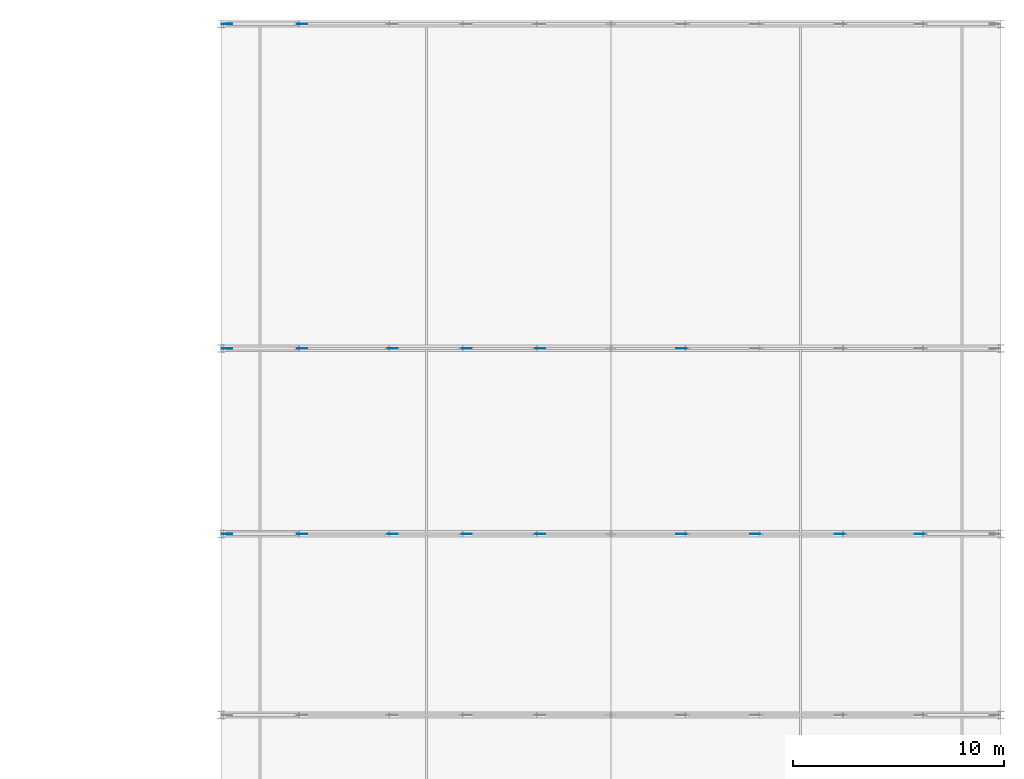
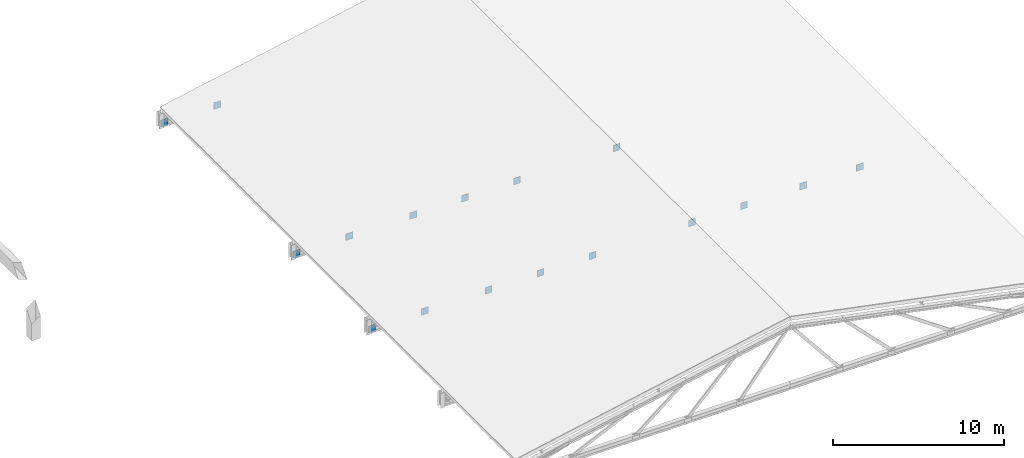
# One storey, part 37 of 47: 17 plates.
"""IFC4 building model written with IfcOpenShell, lengths in metres."""

from ifc_helpers import new_model, si_unit, direction, frame, origin, origin_2d, place, context, subcontext, project, spatial, rectangle, extrude, material, layer, layer_set, type_object, element, save


model = new_model("IFC4")

# Units and contexts
model_context = context("Model", 3, precision=1e-05, world=origin(), true_north=direction((0.0, 1.0)))
body_context = subcontext(model_context, "Body", "Model", "MODEL_VIEW")
ifc_project = project(units=[si_unit("LENGTHUNIT", "METRE"), si_unit("AREAUNIT", "SQUARE_METRE"), si_unit("VOLUMEUNIT", "CUBIC_METRE"), si_unit("PLANEANGLEUNIT", "RADIAN"), si_unit("MASSUNIT", "GRAM", prefix="KILO")], contexts=[model_context])

# Site, building, storey
site_placement = place(None, origin())
site = spatial("IfcSite", under=ifc_project, at=site_placement, CompositionType="ELEMENT")
building_placement = place(site_placement, origin())
building = spatial("IfcBuilding", under=site, at=building_placement, Name="Muzn Square Opera House", CompositionType="ELEMENT")
storey_placement = place(building_placement, frame((0.0, 0.0, 31.0)))
storey = spatial("IfcBuildingStorey", under=building, at=storey_placement, Name="RF-1", CompositionType="ELEMENT", Elevation=31.0)

# Plates
ifc_material = material(Name="Steel S355", Category="steel")
ifc_layer = layer(ifc_material, 0.02392578125, Name="Steel S355", Category="steel")
ifc_layer_set = layer_set([ifc_layer], Name="Steel S355")
plate_type = type_object("IfcPlateType", Name="Rehearsal Gusset Plate 24mm 480x480", PredefinedType="USERDEFINED", material=ifc_layer_set)
for number, where, z_axis, x_axis, name in (
    (1, (133.280029296875, 89.800048828125, -7.619873046875), (0.0, 0.0, 1.0), (1.0, 0.0, 0.0), "Rehearsal Truss Gusset Plate T3-0"),
    (2, (136.85009765625, 89.800048828125, -7.619873046875), (0.0, 0.0, 1.0), (1.0, 0.0, 0.0), "Rehearsal Truss Gusset Plate T3-1"),
    (3, (141.14990234375, 89.800048828125, -7.619873046875), (0.0, 0.0, 1.0), (1.0, 0.0, 0.0), "Rehearsal Truss Gusset Plate T3-2"),
    (4, (144.64990234375, 89.800048828125, -7.619873046875), (0.0, 0.0, 1.0), (1.0, 0.0, 0.0), "Rehearsal Truss Gusset Plate T3-3"),
    (5, (148.14990234375, 89.800048828125, -7.619873046875), (0.0, 0.0, 1.0), (1.0, 0.0, 0.0), "Rehearsal Truss Gusset Plate T3-4"),
    (6, (154.85009765625, 89.800048828125, -7.619873046875), (0.0, 0.0, 1.0), (1.0, 0.0, 0.0), "Rehearsal Truss Gusset Plate T3-5"),
    (7, (158.35009765625, 89.800048828125, -7.619873046875), (0.0, 0.0, 1.0), (1.0, 0.0, 0.0), "Rehearsal Truss Gusset Plate T3-6"),
    (8, (162.35009765625, 89.800048828125, -7.619873046875), (0.0, 0.0, 1.0), (1.0, 0.0, 0.0), "Rehearsal Truss Gusset Plate T3-7"),
    (9, (166.14990234375, 89.800048828125, -7.619873046875), (0.0, 0.0, 1.0), (1.0, 0.0, 0.0), "Rehearsal Truss Gusset Plate T3-8"),
    (10, (133.280029296875, 98.60009765625, -7.619873046875), (0.0, 0.0, 1.0), (1.0, 0.0, 0.0), "Rehearsal Truss Gusset Plate T4-0"),
    (11, (136.85009765625, 98.60009765625, -7.619873046875), (0.0, 0.0, 1.0), (1.0, 0.0, 0.0), "Rehearsal Truss Gusset Plate T4-1"),
    (12, (141.14990234375, 98.60009765625, -7.619873046875), (0.0, 0.0, 1.0), (1.0, 0.0, 0.0), "Rehearsal Truss Gusset Plate T4-2"),
    (13, (144.64990234375, 98.60009765625, -7.619873046875), (0.0, 0.0, 1.0), (1.0, 0.0, 0.0), "Rehearsal Truss Gusset Plate T4-3"),
    (14, (148.14990234375, 98.60009765625, -7.619873046875), (0.0, 0.0, 1.0), (1.0, 0.0, 0.0), "Rehearsal Truss Gusset Plate T4-4"),
    (15, (154.85009765625, 98.60009765625, -7.619873046875), (0.0, 0.0, 1.0), (1.0, 0.0, 0.0), "Rehearsal Truss Gusset Plate T4-5"),
    (16, (133.280029296875, 114.0, -7.619873046875), (0.0, 0.0, 1.0), (1.0, 0.0, 0.0), "Rehearsal Truss Gusset Plate T5-0"),
    (17, (136.85009765625, 114.0, -7.619873046875), (0.0, 0.0, 1.0), (1.0, 0.0, 0.0), "Rehearsal Truss Gusset Plate T5-1"),
):
    element("IfcPlate", number, at=place(storey_placement, frame(where, z_axis=z_axis, x_axis=x_axis)), inside=storey, type_object=plate_type, Name=name, ObjectType="GUSSET PLATE", PredefinedType="USERDEFINED", context=body_context, shape_type="SweptSolid", body=[
        extrude(rectangle(XDim=0.47998046875, YDim=0.02392578125, at=origin_2d()), origin(), (0.0, 0.0, 1.0), 0.47998046875),
    ])

save(model, "model.ifc")
